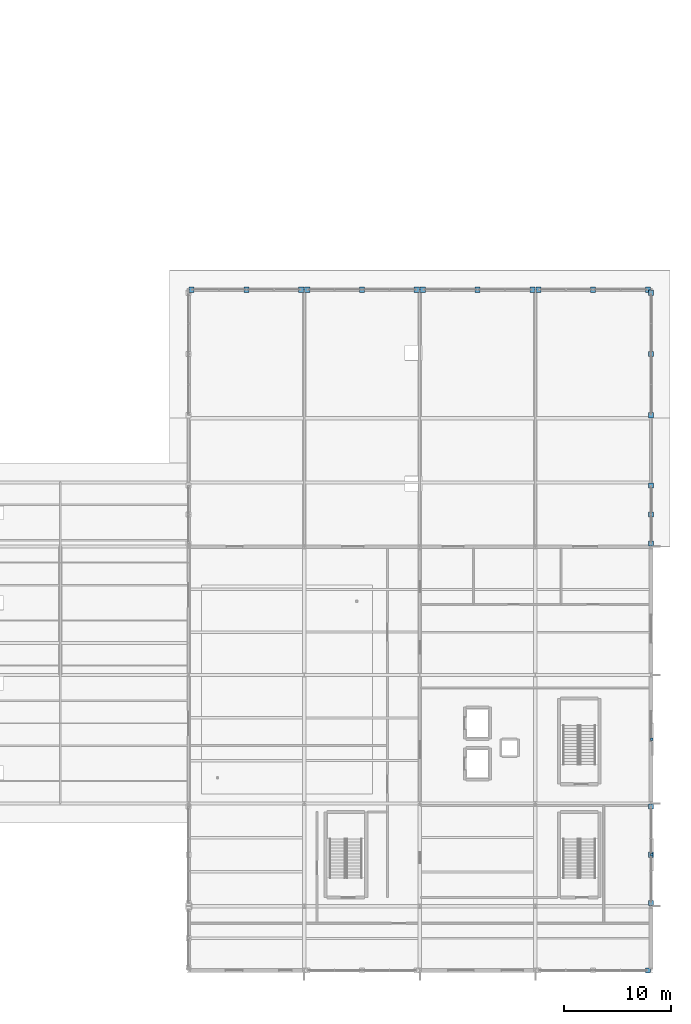
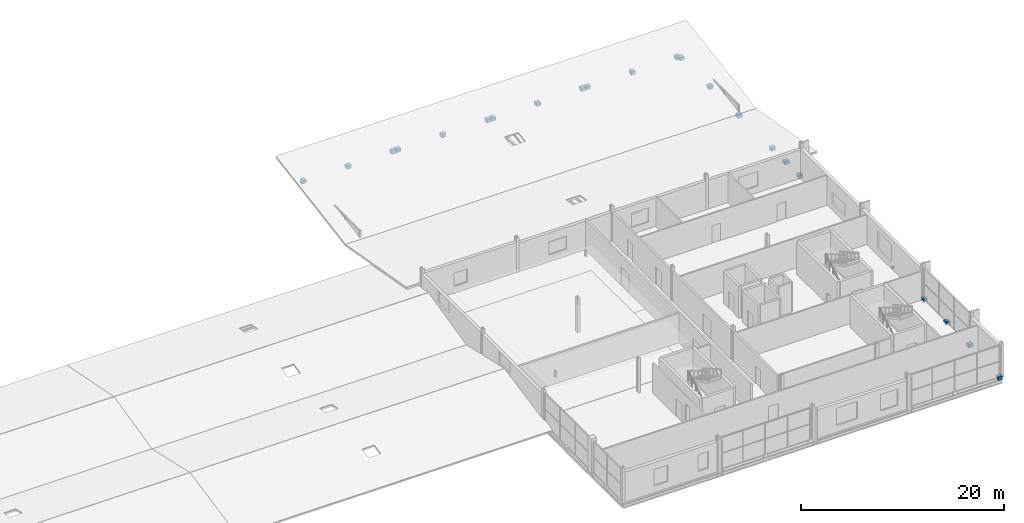
# One storey, part 113 of 117: 24 discrete accessories.
"""IFC4 building model written with IfcOpenShell, lengths in metres."""

from ifc_helpers import new_model, si_unit, direction, frame, origin, origin_2d, place, context, subcontext, project, spatial, rectangle, extrude, material, layer, layer_set, type_object, element, save


model = new_model("IFC4")

# Units and contexts
model_context = context("Model", 3, precision=1e-05, world=origin(), true_north=direction((0.0, 1.0)))
body_context = subcontext(model_context, "Body", "Model", "MODEL_VIEW")
ifc_project = project(units=[si_unit("LENGTHUNIT", "METRE"), si_unit("AREAUNIT", "SQUARE_METRE"), si_unit("VOLUMEUNIT", "CUBIC_METRE"), si_unit("PLANEANGLEUNIT", "RADIAN"), si_unit("MASSUNIT", "GRAM", prefix="KILO")], contexts=[model_context])

# Site, building, storey
site_placement = place(None, origin())
site = spatial("IfcSite", under=ifc_project, at=site_placement, CompositionType="ELEMENT")
building_placement = place(site_placement, origin())
building = spatial("IfcBuilding", under=site, at=building_placement, Name="Merenkruunu Market Hall", CompositionType="ELEMENT")
storey_placement = place(building_placement, frame((0.0, 0.0, 10.199951171875)))
storey = spatial("IfcBuildingStorey", under=building, at=storey_placement, Name="L02", CompositionType="ELEMENT", Elevation=10.199951171875)

# Discrete accessories
ifc_material = material(Name="Brushed stainless steel", Category="steel")
ifc_layer = layer(ifc_material, 0.159912109375)
ifc_layer_set = layer_set([ifc_layer], Name="Brushed stainless steel")
discrete_accessory_type = type_object("IfcDiscreteAccessoryType", Name="Stainless Facade Support Bracket BRK01", PredefinedType="BRACKET", material=ifc_layer_set)
for number, where, z_axis, x_axis, name in (
    (1, (191.719970703125, 0.0, -0.199951171875), (0.0, 0.0, 1.0), (1.0, 0.0, 0.0), "ACC-CWBRK-216-1"),
    (2, (192.0, 15.320068359375, -0.199951171875), (0.0, 0.0, 1.0), (1.0, 0.0, 0.0), "ACC-CWBRK-217-1"),
    (3, (192.0, 10.800048828125, -0.199951171875), (0.0, 0.0, 1.0), (1.0, 0.0, 0.0), "ACC-CWBRK-217-2"),
    (4, (192.0, 6.280029296875, -0.199951171875), (0.0, 0.0, 1.0), (1.0, 0.0, 0.0), "ACC-CWBRK-217-3"),
    (5, (149.080078125, 63.60009765625, -0.179931640625), (0.0, 0.0, 1.0), (1.0, 0.0, 0.0), "ACC-CWBRK-228-1"),
    (6, (154.199951171875, 63.60009765625, -0.179931640625), (0.0, 0.0, 1.0), (1.0, 0.0, 0.0), "ACC-CWBRK-228-2"),
    (7, (159.320068359375, 63.60009765625, -0.179931640625), (0.0, 0.0, 1.0), (1.0, 0.0, 0.0), "ACC-CWBRK-228-3"),
    (8, (159.8798828125, 63.60009765625, -0.179931640625), (0.0, 0.0, 1.0), (1.0, 0.0, 0.0), "ACC-CWBRK-229-1"),
    (9, (165.0, 63.60009765625, -0.179931640625), (0.0, 0.0, 1.0), (1.0, 0.0, 0.0), "ACC-CWBRK-229-2"),
    (10, (170.1201171875, 63.60009765625, -0.179931640625), (0.0, 0.0, 1.0), (1.0, 0.0, 0.0), "ACC-CWBRK-229-3"),
    (11, (170.679931640625, 63.60009765625, -0.179931640625), (0.0, 0.0, 1.0), (1.0, 0.0, 0.0), "ACC-CWBRK-230-1"),
    (12, (175.800048828125, 63.60009765625, -0.179931640625), (0.0, 0.0, 1.0), (1.0, 0.0, 0.0), "ACC-CWBRK-230-2"),
    (13, (180.919921875, 63.60009765625, -0.179931640625), (0.0, 0.0, 1.0), (1.0, 0.0, 0.0), "ACC-CWBRK-230-3"),
    (14, (181.47998046875, 63.60009765625, -0.179931640625), (0.0, 0.0, 1.0), (1.0, 0.0, 0.0), "ACC-CWBRK-231-1"),
    (15, (186.60009765625, 63.60009765625, -0.179931640625), (0.0, 0.0, 1.0), (1.0, 0.0, 0.0), "ACC-CWBRK-231-2"),
    (16, (191.719970703125, 63.60009765625, -0.179931640625), (0.0, 0.0, 1.0), (1.0, 0.0, 0.0), "ACC-CWBRK-231-3"),
    (17, (192.0, 45.320068359375, -0.179931640625), (0.0, 0.0, 1.0), (1.0, 0.0, 0.0), "ACC-CWBRK-233-1"),
    (18, (192.0, 42.60009765625, -0.179931640625), (0.0, 0.0, 1.0), (1.0, 0.0, 0.0), "ACC-CWBRK-233-2"),
    (19, (192.0, 39.8798828125, -0.179931640625), (0.0, 0.0, 1.0), (1.0, 0.0, 0.0), "ACC-CWBRK-233-3"),
    (20, (192.0, 63.320068359375, -0.179931640625), (0.0, 0.0, 1.0), (1.0, 0.0, 0.0), "ACC-CWBRK-235-1"),
    (21, (192.0, 57.60009765625, -0.179931640625), (0.0, 0.0, 1.0), (1.0, 0.0, 0.0), "ACC-CWBRK-235-2"),
    (22, (192.0, 51.8798828125, -0.179931640625), (0.0, 0.0, 1.0), (1.0, 0.0, 0.0), "ACC-CWBRK-235-3"),
):
    element("IfcDiscreteAccessory", number, at=place(storey_placement, frame(where, z_axis=z_axis, x_axis=x_axis)), inside=storey, type_object=discrete_accessory_type, Name=name, PredefinedType="BRACKET", context=body_context, shape_type="SweptSolid", body=[
        extrude(rectangle(XDim=0.47998046875, YDim=0.47998046875, at=origin_2d()), origin(), (0.0, 0.0, 1.0), 0.39990234375),
    ])
for number, where, z_axis, x_axis, name in (
    (23, (192.06005859375, 10.800048828125, -0.080078125), (0.0, 0.0, 1.0), (1.0, 0.0, 0.0), "ACC-BRK-06"),
    (24, (192.06005859375, 21.60009765625, -0.080078125), (0.0, 0.0, 1.0), (1.0, 0.0, 0.0), "ACC-BRK-07"),
):
    element("IfcDiscreteAccessory", number, at=place(storey_placement, frame(where, z_axis=z_axis, x_axis=x_axis)), inside=storey, type_object=discrete_accessory_type, Name=name, PredefinedType="BRACKET", context=body_context, shape_type="SweptSolid", body=[
        extrude(rectangle(XDim=0.239990234375, YDim=0.239990234375, at=origin_2d()), origin(), (0.0, 0.0, 1.0), 0.199951171875),
    ])

save(model, "model.ifc")
